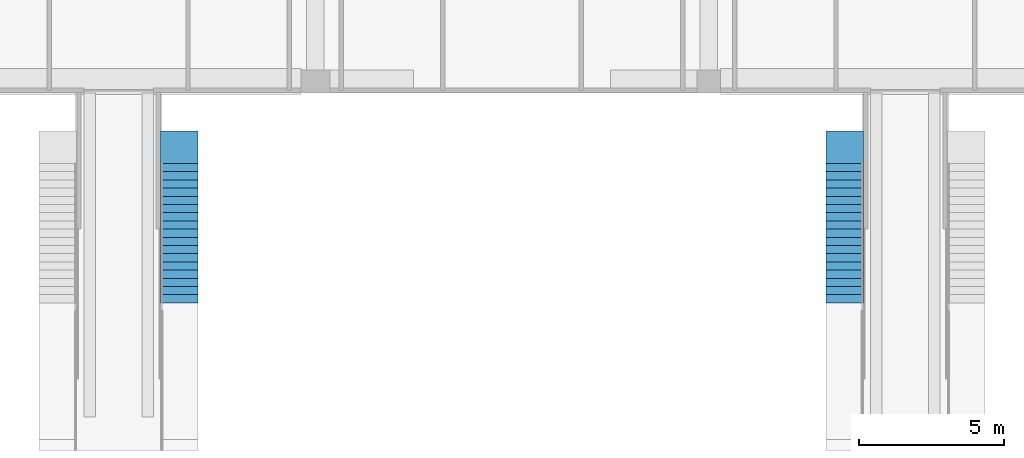
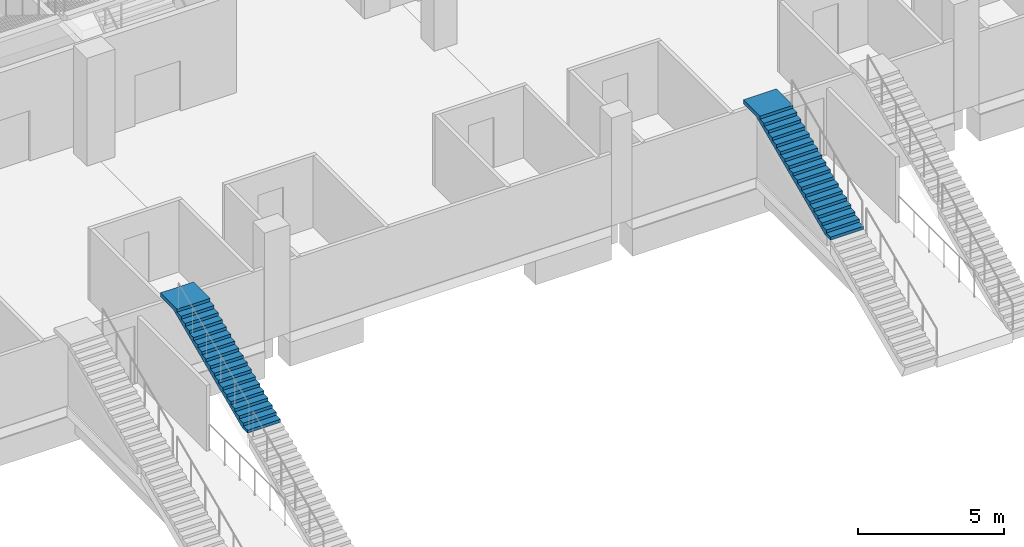
# One storey, part 124 of 175: 2 stair flights, 2 elements without a shape of their own.
"""IFC4 building model written with IfcOpenShell, lengths in metres."""

import ifcopenshell
import ifcopenshell.guid

model = None  # the IFC model being written
_history = None  # IfcOwnerHistory: only IFC2X3 demands one
_inside = {}  # id of a spatial element -> (the spatial element, [elements in it])
_under = {}  # id of a project, library or spatial element -> (it, [spatial elements below it])
_declared = {}  # id of a project -> (the project, [libraries it declares])
_typed = {}  # id of a type object -> (the type object, [elements of that type])
_made_of = {}  # id of a material, layer set ... -> (it, [elements and type objects made of it])


def new_model(schema):
    """Start an empty IFC model of exactly this schema.

    Asked for "IFC4X3", IfcOpenShell would pick the latest addendum, in which some entities
    have other attributes; the version numbers below select the first issue.
    IFC2X3 requires an IfcOwnerHistory on every rooted entity: one is made here for all.
    """
    global model, _history
    if schema == "IFC4X3":
        model = ifcopenshell.file(schema_version=(4, 3, 0, 0))
    else:
        model = ifcopenshell.file(schema=schema)
    _inside.clear()
    _under.clear()
    _declared.clear()
    _typed.clear()
    _made_of.clear()
    _history = None
    if model.schema == "IFC2X3":
        org = make("IfcOrganization", Name="unknown")
        user = make(
            "IfcPersonAndOrganization",
            ThePerson=make("IfcPerson", FamilyName="unknown"),
            TheOrganization=org,
        )
        app = make(
            "IfcApplication",
            ApplicationDeveloper=org,
            Version="unknown",
            ApplicationFullName="unknown",
            ApplicationIdentifier="unknown",
        )
        _history = make(
            "IfcOwnerHistory",
            OwningUser=user,
            OwningApplication=app,
            ChangeAction="ADDED",
            CreationDate=0,
        )
    return model


def make(cls, **values):
    """One entity of the class cls with the attributes given. An attribute that is None is left unset."""
    return model.create_entity(
        cls, **{name: value for name, value in values.items() if value is not None}
    )


def rooted(cls, **values):
    """An entity with a GlobalId (a new one), such as an element, a storey or a relation."""
    return make(cls, GlobalId=ifcopenshell.guid.new(), OwnerHistory=_history, **values)


def si_unit(unit_type, name, prefix=None):
    """IfcSIUnit, for example si_unit("LENGTHUNIT", "METRE", prefix="MILLI")."""
    return make("IfcSIUnit", UnitType=unit_type, Prefix=prefix, Name=name)


def assignment(units):
    """IfcUnitAssignment: the units of a project."""
    return None if units is None else make("IfcUnitAssignment", Units=units)


def point(xyz):
    """IfcCartesianPoint."""
    return None if xyz is None else make("IfcCartesianPoint", Coordinates=xyz)


def direction(xyz):
    """IfcDirection."""
    return None if xyz is None else make("IfcDirection", DirectionRatios=xyz)


def frame(location, z_axis=None, x_axis=None):
    """IfcAxis2Placement3D, a coordinate frame: its origin and axes. An axis left out is left unset."""
    return make(
        "IfcAxis2Placement3D",
        Location=point(location),
        Axis=direction(z_axis),
        RefDirection=direction(x_axis),
    )


def origin():
    """The frame at (0, 0, 0) with its axes left unset."""
    return frame((0.0, 0.0, 0.0))


def place(relative_to, where):
    """IfcLocalPlacement: puts the frame where relative to a parent placement (None: the world)."""
    return make(
        "IfcLocalPlacement", PlacementRelTo=relative_to, RelativePlacement=where
    )


def context(
    kind, dimensions, precision=None, world=None, true_north=None, identifier=None
):
    """IfcGeometricRepresentationContext, for example the 3D "Model" context."""
    return make(
        "IfcGeometricRepresentationContext",
        ContextIdentifier=identifier,
        ContextType=kind,
        CoordinateSpaceDimension=dimensions,
        Precision=precision,
        WorldCoordinateSystem=world,
        TrueNorth=true_north,
    )


def subcontext(parent, identifier, kind, view, scale=None):
    """IfcGeometricRepresentationSubContext, for example "Body" below "Model"."""
    return make(
        "IfcGeometricRepresentationSubContext",
        ContextIdentifier=identifier,
        ContextType=kind,
        ParentContext=parent,
        TargetScale=scale,
        TargetView=view,
    )


def project(units=None, contexts=None):
    """IfcProject with its units and contexts."""
    return rooted(
        "IfcProject",
        Name="project",
        RepresentationContexts=contexts,
        UnitsInContext=assignment(units),
    )


def spatial(cls, under=None, at=None, **own):
    """A site, building, storey or space (cls), placed at a placement, below another one or the project."""
    s = rooted(cls, ObjectPlacement=at, **own)
    if under is not None:
        _under.setdefault(under.id(), (under, []))[1].append(s)
    return s


def faces_of(points, faces, orient=None, outer=None):
    """IfcFace entities. A face is a list of loops; a loop is a list of indices into points, from 0.

    orient and outer hold one flag for each loop. By default every Orientation is true, the
    first loop of a face is its IfcFaceOuterBound and the others are IfcFaceBound.
    """
    made = []
    for i, loops in enumerate(faces):
        bounds = []
        for j, loop in enumerate(loops):
            is_outer = j == 0 if outer is None else outer[i][j]
            bounds.append(
                make(
                    "IfcFaceOuterBound" if is_outer else "IfcFaceBound",
                    Bound=make("IfcPolyLoop", Polygon=[points[k] for k in loop]),
                    Orientation=True if orient is None else orient[i][j],
                )
            )
        made.append(make("IfcFace", Bounds=bounds))
    return made


def faceted_brep(points, faces, orient=None, outer=None, voids=None):
    """IfcFacetedBrep: a solid bounded by flat faces; with voids (closed shells), ...WithVoids."""
    shared = [point(p) for p in points]
    hull = make("IfcClosedShell", CfsFaces=faces_of(shared, faces, orient, outer))
    if voids is None:
        return make("IfcFacetedBrep", Outer=hull)
    return make(
        "IfcFacetedBrepWithVoids",
        Outer=hull,
        Voids=[
            make(cls, CfsFaces=faces_of(shared, fs, o, b)) for cls, fs, o, b in voids
        ],
    )


def shape(context_of_items, identifier, shape_type, items):
    """IfcShapeRepresentation: the items that make up one representation, for example the "Body"."""
    return make(
        "IfcShapeRepresentation",
        ContextOfItems=context_of_items,
        RepresentationIdentifier=identifier,
        RepresentationType=shape_type,
        Items=items,
    )


def material(Name=None, Category=None):
    """IfcMaterial."""
    return make("IfcMaterial", Name=Name, Category=Category)


def made_of(thing, what):
    """Note that an element or type object is made of a material, layer set ...; save() writes the relation."""
    if what is not None:
        _made_of.setdefault(what.id(), (what, []))[1].append(thing)
    return thing


def type_object(cls, material=None, **own):
    """A type object (cls), such as IfcWallType, which elements share."""
    return made_of(rooted(cls, **own), material)


def element(
    cls,
    number,
    at=None,
    inside=None,
    cuts=None,
    type_object=None,
    material=None,
    context=None,
    identifier="Body",
    shape_type=None,
    held_by="IfcProductDefinitionShape",
    body=None,
    shapes=None,
    **own,
):
    """One element of the class cls, such as IfcWall. Its Tag is "e" and its number.

    at: its placement. inside: the storey or other place that contains it. cuts: it is an
    opening in that element (IfcRelVoidsElement). A single representation is given by context,
    identifier, shape_type and body (its items); several are given by shapes. held_by: the class
    of the entity that holds the representations. save() writes the other relations.
    """
    e = rooted(cls, Tag="e%d" % number, ObjectPlacement=at, **own)
    if body is not None:
        shapes = [shape(context, identifier, shape_type, body)]
    if shapes is not None:
        e.Representation = make(held_by, Representations=shapes)
    if inside is not None:
        _inside.setdefault(inside.id(), (inside, []))[1].append(e)
    if cuts is not None:
        rooted(
            "IfcRelVoidsElement", RelatingBuildingElement=cuts, RelatedOpeningElement=e
        )
    if type_object is not None:
        _typed.setdefault(type_object.id(), (type_object, []))[1].append(e)
    return made_of(e, material)


def aggregate(whole, parts):
    """IfcRelAggregates: a whole, such as a stair, and the parts it consists of."""
    return rooted("IfcRelAggregates", RelatingObject=whole, RelatedObjects=parts)


def save(model, path):
    """Write the relations noted so far, then the file.

    IfcRelAggregates (storeys below a building ...), IfcRelContainedInSpatialStructure (elements
    in a storey), IfcRelDefinesByType, IfcRelAssociatesMaterial and IfcRelDeclares: one each for
    every whole, place, type object, material and project.
    """
    for whole, parts in _under.values():
        aggregate(whole, parts)
    for where, things in _inside.values():
        rooted(
            "IfcRelContainedInSpatialStructure",
            RelatedElements=things,
            RelatingStructure=where,
        )
    for kind, things in _typed.values():
        rooted("IfcRelDefinesByType", RelatedObjects=things, RelatingType=kind)
    for what, things in _made_of.values():
        rooted("IfcRelAssociatesMaterial", RelatedObjects=things, RelatingMaterial=what)
    for by, libraries in _declared.values():
        rooted("IfcRelDeclares", RelatingContext=by, RelatedDefinitions=libraries)
    model.write(path)


model = new_model("IFC4")

# Units and contexts
model_context = context("Model", 3, precision=1e-05, world=origin(), true_north=direction((0.0, 1.0)))
body_context = subcontext(model_context, "Body", "Model", "MODEL_VIEW")
ifc_project = project(units=[si_unit("LENGTHUNIT", "METRE"), si_unit("AREAUNIT", "SQUARE_METRE"), si_unit("VOLUMEUNIT", "CUBIC_METRE"), si_unit("PLANEANGLEUNIT", "RADIAN"), si_unit("MASSUNIT", "GRAM", prefix="KILO")], contexts=[model_context])

# Site, building, storey
site_placement = place(None, origin())
site = spatial("IfcSite", under=ifc_project, at=site_placement, CompositionType="ELEMENT")
building_placement = place(site_placement, origin())
building = spatial("IfcBuilding", under=site, at=building_placement, Name="Ogive Plaza Stadium", CompositionType="ELEMENT")
storey_placement = place(building_placement, origin())
storey = spatial("IfcBuildingStorey", under=building, at=storey_placement, Name="L00", CompositionType="ELEMENT", Elevation=0.0)

# Stair, stair flight
ifc_material_1 = material(Name="Concrete C40/50", Category="concrete")
stair_type = type_object("IfcStairType", Name="Aisle stair", PredefinedType="STRAIGHT_RUN_STAIR", material=ifc_material_1)
stair_1_placement = place(storey_placement, origin())
stair_1 = element("IfcStair", 1, at=stair_1_placement, inside=storey, type_object=stair_type, Name="Aisle stair SA33L", PredefinedType="STRAIGHT_RUN_STAIR")
ifc_material_2 = material(Name="Concrete C40/50", Category="concrete")
stair_flight_type = type_object("IfcStairFlightType", Name="Aisle stair flight", PredefinedType="STRAIGHT", material=ifc_material_2)
stair_flight_1_placement = place(storey_placement, frame((-11.5, 72.75, 2.25), z_axis=(0.0, 0.0, 1.0), x_axis=(0.0, 1.0, 0.0)))
stair_flight_1 = element("IfcStairFlight", 2, at=stair_flight_1_placement, type_object=stair_flight_type, Name="SA33L flight 2", NumberOfRisers=18, NumberOfTreads=17, PredefinedType="STRAIGHT", RiserHeight=0.125, TreadLength=0.283333333, context=body_context, shape_type="Brep", body=[
    faceted_brep([(0.371337890625, -0.64990234375, 0.0), (5.10009765625, -0.64990234375, 2.086181640625), (5.949951171875, -0.64990234375, 2.086181640625), (5.949951171875, -0.64990234375, 2.25), (4.816650390625, -0.64990234375, 2.25), (4.816650390625, -0.64990234375, 2.125), (4.533447265625, -0.64990234375, 2.125), (4.533447265625, -0.64990234375, 2.0), (4.25, -0.64990234375, 2.0), (4.25, -0.64990234375, 1.875), (3.966552734375, -0.64990234375, 1.875), (3.966552734375, -0.64990234375, 1.75), (3.683349609375, -0.64990234375, 1.75), (3.683349609375, -0.64990234375, 1.625), (3.39990234375, -0.64990234375, 1.625), (3.39990234375, -0.64990234375, 1.5), (3.11669921875, -0.64990234375, 1.5), (3.11669921875, -0.64990234375, 1.375), (2.833251953125, -0.64990234375, 1.375), (2.833251953125, -0.64990234375, 1.25), (2.550048828125, -0.64990234375, 1.25), (2.550048828125, -0.64990234375, 1.125), (2.2666015625, -0.64990234375, 1.125), (2.2666015625, -0.64990234375, 1.0), (1.9833984375, -0.64990234375, 1.0), (1.9833984375, -0.64990234375, 0.875), (1.699951171875, -0.64990234375, 0.875), (1.699951171875, -0.64990234375, 0.75), (1.416748046875, -0.64990234375, 0.75), (1.416748046875, -0.64990234375, 0.625), (1.13330078125, -0.64990234375, 0.625), (1.13330078125, -0.64990234375, 0.5), (0.85009765625, -0.64990234375, 0.5), (0.85009765625, -0.64990234375, 0.375), (0.566650390625, -0.64990234375, 0.375), (0.566650390625, -0.64990234375, 0.25), (0.283447265625, -0.64990234375, 0.25), (0.283447265625, -0.64990234375, 0.125), (0.0, -0.64990234375, 0.125), (0.0, -0.64990234375, 0.0), (0.0, 0.64990234375, 0.0), (0.0, 0.64990234375, 0.125), (0.283447265625, 0.64990234375, 0.125), (0.283447265625, 0.64990234375, 0.25), (0.566650390625, 0.64990234375, 0.25), (0.566650390625, 0.64990234375, 0.375), (0.85009765625, 0.64990234375, 0.375), (0.85009765625, 0.64990234375, 0.5), (1.13330078125, 0.64990234375, 0.5), (1.13330078125, 0.64990234375, 0.625), (1.416748046875, 0.64990234375, 0.625), (1.416748046875, 0.64990234375, 0.75), (1.699951171875, 0.64990234375, 0.75), (1.699951171875, 0.64990234375, 0.875), (1.9833984375, 0.64990234375, 0.875), (1.9833984375, 0.64990234375, 1.0), (2.2666015625, 0.64990234375, 1.0), (2.2666015625, 0.64990234375, 1.125), (2.550048828125, 0.64990234375, 1.125), (2.550048828125, 0.64990234375, 1.25), (2.833251953125, 0.64990234375, 1.25), (2.833251953125, 0.64990234375, 1.375), (3.11669921875, 0.64990234375, 1.375), (3.11669921875, 0.64990234375, 1.5), (3.39990234375, 0.64990234375, 1.5), (3.39990234375, 0.64990234375, 1.625), (3.683349609375, 0.64990234375, 1.625), (3.683349609375, 0.64990234375, 1.75), (3.966552734375, 0.64990234375, 1.75), (3.966552734375, 0.64990234375, 1.875), (4.25, 0.64990234375, 1.875), (4.25, 0.64990234375, 2.0), (4.533447265625, 0.64990234375, 2.0), (4.533447265625, 0.64990234375, 2.125), (4.816650390625, 0.64990234375, 2.125), (4.816650390625, 0.64990234375, 2.25), (5.949951171875, 0.64990234375, 2.25), (5.949951171875, 0.64990234375, 2.086181640625), (5.10009765625, 0.64990234375, 2.086181640625), (0.371337890625, 0.64990234375, 0.0), (0.371337890625, -0.324951171875, 0.0), (5.10009765625, -0.324951171875, 2.086181640625), (0.371337890625, 0.0, 0.0), (5.10009765625, 0.0, 2.086181640625), (0.371337890625, 0.324951171875, 0.0), (5.10009765625, 0.324951171875, 2.086181640625), (5.949951171875, -0.324951171875, 2.086181640625), (5.949951171875, 0.0, 2.086181640625), (5.949951171875, 0.324951171875, 2.086181640625), (5.949951171875, -0.324951171875, 2.25), (5.949951171875, 0.0, 2.25), (5.949951171875, 0.324951171875, 2.25), (4.816650390625, -0.324951171875, 2.25), (4.816650390625, 0.0, 2.25), (4.816650390625, 0.324951171875, 2.25), (4.816650390625, -0.324951171875, 2.125), (4.816650390625, 0.0, 2.125), (4.816650390625, 0.324951171875, 2.125), (4.533447265625, -0.324951171875, 2.125), (4.533447265625, 0.0, 2.125), (4.533447265625, 0.324951171875, 2.125), (4.533447265625, -0.324951171875, 2.0), (4.533447265625, 0.0, 2.0), (4.533447265625, 0.324951171875, 2.0), (4.25, -0.324951171875, 2.0), (4.25, 0.0, 2.0), (4.25, 0.324951171875, 2.0), (4.25, -0.324951171875, 1.875), (4.25, 0.0, 1.875), (4.25, 0.324951171875, 1.875), (3.966552734375, -0.324951171875, 1.875), (3.966552734375, 0.0, 1.875), (3.966552734375, 0.324951171875, 1.875), (3.966552734375, -0.324951171875, 1.75), (3.966552734375, 0.0, 1.75), (3.966552734375, 0.324951171875, 1.75), (3.683349609375, -0.324951171875, 1.75), (3.683349609375, 0.0, 1.75), (3.683349609375, 0.324951171875, 1.75), (3.683349609375, -0.324951171875, 1.625), (3.683349609375, 0.0, 1.625), (3.683349609375, 0.324951171875, 1.625), (3.39990234375, -0.324951171875, 1.625), (3.39990234375, 0.0, 1.625), (3.39990234375, 0.324951171875, 1.625), (3.39990234375, -0.324951171875, 1.5), (3.39990234375, 0.0, 1.5), (3.39990234375, 0.324951171875, 1.5), (3.11669921875, -0.324951171875, 1.5), (3.11669921875, 0.0, 1.5), (3.11669921875, 0.324951171875, 1.5), (3.11669921875, -0.324951171875, 1.375), (3.11669921875, 0.0, 1.375), (3.11669921875, 0.324951171875, 1.375), (2.833251953125, -0.324951171875, 1.375), (2.833251953125, 0.0, 1.375), (2.833251953125, 0.324951171875, 1.375), (2.833251953125, -0.324951171875, 1.25), (2.833251953125, 0.0, 1.25), (2.833251953125, 0.324951171875, 1.25), (2.550048828125, -0.324951171875, 1.25), (2.550048828125, 0.0, 1.25), (2.550048828125, 0.324951171875, 1.25), (2.550048828125, -0.324951171875, 1.125), (2.550048828125, 0.0, 1.125), (2.550048828125, 0.324951171875, 1.125), (2.2666015625, -0.324951171875, 1.125), (2.2666015625, 0.0, 1.125), (2.2666015625, 0.324951171875, 1.125), (2.2666015625, -0.324951171875, 1.0), (2.2666015625, 0.0, 1.0), (2.2666015625, 0.324951171875, 1.0), (1.9833984375, -0.324951171875, 1.0), (1.9833984375, 0.0, 1.0), (1.9833984375, 0.324951171875, 1.0), (1.9833984375, -0.324951171875, 0.875), (1.9833984375, 0.0, 0.875), (1.9833984375, 0.324951171875, 0.875), (1.699951171875, -0.324951171875, 0.875), (1.699951171875, 0.0, 0.875), (1.699951171875, 0.324951171875, 0.875), (1.699951171875, -0.324951171875, 0.75), (1.699951171875, 0.0, 0.75), (1.699951171875, 0.324951171875, 0.75), (1.416748046875, -0.324951171875, 0.75), (1.416748046875, 0.0, 0.75), (1.416748046875, 0.324951171875, 0.75), (1.416748046875, -0.324951171875, 0.625), (1.416748046875, 0.0, 0.625), (1.416748046875, 0.324951171875, 0.625), (1.13330078125, -0.324951171875, 0.625), (1.13330078125, 0.0, 0.625), (1.13330078125, 0.324951171875, 0.625), (1.13330078125, -0.324951171875, 0.5), (1.13330078125, 0.0, 0.5), (1.13330078125, 0.324951171875, 0.5), (0.85009765625, -0.324951171875, 0.5), (0.85009765625, 0.0, 0.5), (0.85009765625, 0.324951171875, 0.5), (0.85009765625, -0.324951171875, 0.375), (0.85009765625, 0.0, 0.375), (0.85009765625, 0.324951171875, 0.375), (0.566650390625, -0.324951171875, 0.375), (0.566650390625, 0.0, 0.375), (0.566650390625, 0.324951171875, 0.375), (0.566650390625, -0.324951171875, 0.25), (0.566650390625, 0.0, 0.25), (0.566650390625, 0.324951171875, 0.25), (0.283447265625, -0.324951171875, 0.25), (0.283447265625, 0.0, 0.25), (0.283447265625, 0.324951171875, 0.25), (0.283447265625, -0.324951171875, 0.125), (0.283447265625, 0.0, 0.125), (0.283447265625, 0.324951171875, 0.125), (0.0, -0.324951171875, 0.125), (0.0, 0.0, 0.125), (0.0, 0.324951171875, 0.125), (0.0, -0.324951171875, 0.0), (0.0, 0.0, 0.0), (0.0, 0.324951171875, 0.0)], [[[0, 1, 2, 3, 4, 5, 6, 7, 8, 9, 10, 11, 12, 13, 14, 15, 16, 17, 18, 19, 20, 21, 22, 23, 24, 25, 26, 27, 28, 29, 30, 31, 32, 33, 34, 35, 36, 37, 38, 39]], [[40, 41, 42, 43, 44, 45, 46, 47, 48, 49, 50, 51, 52, 53, 54, 55, 56, 57, 58, 59, 60, 61, 62, 63, 64, 65, 66, 67, 68, 69, 70, 71, 72, 73, 74, 75, 76, 77, 78, 79]], [[0, 80, 81, 1]], [[80, 82, 83, 81]], [[82, 84, 85, 83]], [[84, 79, 78, 85]], [[1, 81, 86, 2]], [[81, 83, 87, 86]], [[83, 85, 88, 87]], [[85, 78, 77, 88]], [[2, 86, 89, 3]], [[86, 87, 90, 89]], [[87, 88, 91, 90]], [[88, 77, 76, 91]], [[3, 89, 92, 4]], [[89, 90, 93, 92]], [[90, 91, 94, 93]], [[91, 76, 75, 94]], [[4, 92, 95, 5]], [[92, 93, 96, 95]], [[93, 94, 97, 96]], [[94, 75, 74, 97]], [[5, 95, 98, 6]], [[95, 96, 99, 98]], [[96, 97, 100, 99]], [[97, 74, 73, 100]], [[6, 98, 101, 7]], [[98, 99, 102, 101]], [[99, 100, 103, 102]], [[100, 73, 72, 103]], [[7, 101, 104, 8]], [[101, 102, 105, 104]], [[102, 103, 106, 105]], [[103, 72, 71, 106]], [[8, 104, 107, 9]], [[104, 105, 108, 107]], [[105, 106, 109, 108]], [[106, 71, 70, 109]], [[9, 107, 110, 10]], [[107, 108, 111, 110]], [[108, 109, 112, 111]], [[109, 70, 69, 112]], [[10, 110, 113, 11]], [[110, 111, 114, 113]], [[111, 112, 115, 114]], [[112, 69, 68, 115]], [[11, 113, 116, 12]], [[113, 114, 117, 116]], [[114, 115, 118, 117]], [[115, 68, 67, 118]], [[12, 116, 119, 13]], [[116, 117, 120, 119]], [[117, 118, 121, 120]], [[118, 67, 66, 121]], [[13, 119, 122, 14]], [[119, 120, 123, 122]], [[120, 121, 124, 123]], [[121, 66, 65, 124]], [[14, 122, 125, 15]], [[122, 123, 126, 125]], [[123, 124, 127, 126]], [[124, 65, 64, 127]], [[15, 125, 128, 16]], [[125, 126, 129, 128]], [[126, 127, 130, 129]], [[127, 64, 63, 130]], [[16, 128, 131, 17]], [[128, 129, 132, 131]], [[129, 130, 133, 132]], [[130, 63, 62, 133]], [[17, 131, 134, 18]], [[131, 132, 135, 134]], [[132, 133, 136, 135]], [[133, 62, 61, 136]], [[18, 134, 137, 19]], [[134, 135, 138, 137]], [[135, 136, 139, 138]], [[136, 61, 60, 139]], [[19, 137, 140, 20]], [[137, 138, 141, 140]], [[138, 139, 142, 141]], [[139, 60, 59, 142]], [[20, 140, 143, 21]], [[140, 141, 144, 143]], [[141, 142, 145, 144]], [[142, 59, 58, 145]], [[21, 143, 146, 22]], [[143, 144, 147, 146]], [[144, 145, 148, 147]], [[145, 58, 57, 148]], [[22, 146, 149, 23]], [[146, 147, 150, 149]], [[147, 148, 151, 150]], [[148, 57, 56, 151]], [[23, 149, 152, 24]], [[149, 150, 153, 152]], [[150, 151, 154, 153]], [[151, 56, 55, 154]], [[24, 152, 155, 25]], [[152, 153, 156, 155]], [[153, 154, 157, 156]], [[154, 55, 54, 157]], [[25, 155, 158, 26]], [[155, 156, 159, 158]], [[156, 157, 160, 159]], [[157, 54, 53, 160]], [[26, 158, 161, 27]], [[158, 159, 162, 161]], [[159, 160, 163, 162]], [[160, 53, 52, 163]], [[27, 161, 164, 28]], [[161, 162, 165, 164]], [[162, 163, 166, 165]], [[163, 52, 51, 166]], [[28, 164, 167, 29]], [[164, 165, 168, 167]], [[165, 166, 169, 168]], [[166, 51, 50, 169]], [[29, 167, 170, 30]], [[167, 168, 171, 170]], [[168, 169, 172, 171]], [[169, 50, 49, 172]], [[30, 170, 173, 31]], [[170, 171, 174, 173]], [[171, 172, 175, 174]], [[172, 49, 48, 175]], [[31, 173, 176, 32]], [[173, 174, 177, 176]], [[174, 175, 178, 177]], [[175, 48, 47, 178]], [[32, 176, 179, 33]], [[176, 177, 180, 179]], [[177, 178, 181, 180]], [[178, 47, 46, 181]], [[33, 179, 182, 34]], [[179, 180, 183, 182]], [[180, 181, 184, 183]], [[181, 46, 45, 184]], [[34, 182, 185, 35]], [[182, 183, 186, 185]], [[183, 184, 187, 186]], [[184, 45, 44, 187]], [[35, 185, 188, 36]], [[185, 186, 189, 188]], [[186, 187, 190, 189]], [[187, 44, 43, 190]], [[36, 188, 191, 37]], [[188, 189, 192, 191]], [[189, 190, 193, 192]], [[190, 43, 42, 193]], [[37, 191, 194, 38]], [[191, 192, 195, 194]], [[192, 193, 196, 195]], [[193, 42, 41, 196]], [[38, 194, 197, 39]], [[194, 195, 198, 197]], [[195, 196, 199, 198]], [[196, 41, 40, 199]], [[39, 197, 80, 0]], [[197, 198, 82, 80]], [[198, 199, 84, 82]], [[199, 40, 79, 84]]]),
])
aggregate(stair_1, [stair_flight_1])

stair_2_placement = place(storey_placement, origin())
stair_2 = element("IfcStair", 3, at=stair_2_placement, inside=storey, type_object=stair_type, Name="Aisle stair SA35R", PredefinedType="STRAIGHT_RUN_STAIR")
stair_flight_2_placement = place(storey_placement, frame((11.5, 72.75, 2.25), z_axis=(0.0, 0.0, 1.0), x_axis=(0.0, 1.0, 0.0)))
stair_flight_2 = element("IfcStairFlight", 4, at=stair_flight_2_placement, type_object=stair_flight_type, Name="SA35R flight 2", NumberOfRisers=18, NumberOfTreads=17, PredefinedType="STRAIGHT", RiserHeight=0.125, TreadLength=0.283333333, context=body_context, shape_type="Brep", body=[
    faceted_brep([(0.371337890625, -0.64990234375, 0.0), (5.10009765625, -0.64990234375, 2.086181640625), (5.949951171875, -0.64990234375, 2.086181640625), (5.949951171875, -0.64990234375, 2.25), (4.816650390625, -0.64990234375, 2.25), (4.816650390625, -0.64990234375, 2.125), (4.533447265625, -0.64990234375, 2.125), (4.533447265625, -0.64990234375, 2.0), (4.25, -0.64990234375, 2.0), (4.25, -0.64990234375, 1.875), (3.966552734375, -0.64990234375, 1.875), (3.966552734375, -0.64990234375, 1.75), (3.683349609375, -0.64990234375, 1.75), (3.683349609375, -0.64990234375, 1.625), (3.39990234375, -0.64990234375, 1.625), (3.39990234375, -0.64990234375, 1.5), (3.11669921875, -0.64990234375, 1.5), (3.11669921875, -0.64990234375, 1.375), (2.833251953125, -0.64990234375, 1.375), (2.833251953125, -0.64990234375, 1.25), (2.550048828125, -0.64990234375, 1.25), (2.550048828125, -0.64990234375, 1.125), (2.2666015625, -0.64990234375, 1.125), (2.2666015625, -0.64990234375, 1.0), (1.9833984375, -0.64990234375, 1.0), (1.9833984375, -0.64990234375, 0.875), (1.699951171875, -0.64990234375, 0.875), (1.699951171875, -0.64990234375, 0.75), (1.416748046875, -0.64990234375, 0.75), (1.416748046875, -0.64990234375, 0.625), (1.13330078125, -0.64990234375, 0.625), (1.13330078125, -0.64990234375, 0.5), (0.85009765625, -0.64990234375, 0.5), (0.85009765625, -0.64990234375, 0.375), (0.566650390625, -0.64990234375, 0.375), (0.566650390625, -0.64990234375, 0.25), (0.283447265625, -0.64990234375, 0.25), (0.283447265625, -0.64990234375, 0.125), (0.0, -0.64990234375, 0.125), (0.0, -0.64990234375, 0.0), (0.0, 0.64990234375, 0.0), (0.0, 0.64990234375, 0.125), (0.283447265625, 0.64990234375, 0.125), (0.283447265625, 0.64990234375, 0.25), (0.566650390625, 0.64990234375, 0.25), (0.566650390625, 0.64990234375, 0.375), (0.85009765625, 0.64990234375, 0.375), (0.85009765625, 0.64990234375, 0.5), (1.13330078125, 0.64990234375, 0.5), (1.13330078125, 0.64990234375, 0.625), (1.416748046875, 0.64990234375, 0.625), (1.416748046875, 0.64990234375, 0.75), (1.699951171875, 0.64990234375, 0.75), (1.699951171875, 0.64990234375, 0.875), (1.9833984375, 0.64990234375, 0.875), (1.9833984375, 0.64990234375, 1.0), (2.2666015625, 0.64990234375, 1.0), (2.2666015625, 0.64990234375, 1.125), (2.550048828125, 0.64990234375, 1.125), (2.550048828125, 0.64990234375, 1.25), (2.833251953125, 0.64990234375, 1.25), (2.833251953125, 0.64990234375, 1.375), (3.11669921875, 0.64990234375, 1.375), (3.11669921875, 0.64990234375, 1.5), (3.39990234375, 0.64990234375, 1.5), (3.39990234375, 0.64990234375, 1.625), (3.683349609375, 0.64990234375, 1.625), (3.683349609375, 0.64990234375, 1.75), (3.966552734375, 0.64990234375, 1.75), (3.966552734375, 0.64990234375, 1.875), (4.25, 0.64990234375, 1.875), (4.25, 0.64990234375, 2.0), (4.533447265625, 0.64990234375, 2.0), (4.533447265625, 0.64990234375, 2.125), (4.816650390625, 0.64990234375, 2.125), (4.816650390625, 0.64990234375, 2.25), (5.949951171875, 0.64990234375, 2.25), (5.949951171875, 0.64990234375, 2.086181640625), (5.10009765625, 0.64990234375, 2.086181640625), (0.371337890625, 0.64990234375, 0.0), (0.371337890625, -0.324951171875, 0.0), (5.10009765625, -0.324951171875, 2.086181640625), (0.371337890625, 0.0, 0.0), (5.10009765625, 0.0, 2.086181640625), (0.371337890625, 0.324951171875, 0.0), (5.10009765625, 0.324951171875, 2.086181640625), (5.949951171875, -0.324951171875, 2.086181640625), (5.949951171875, 0.0, 2.086181640625), (5.949951171875, 0.324951171875, 2.086181640625), (5.949951171875, -0.324951171875, 2.25), (5.949951171875, 0.0, 2.25), (5.949951171875, 0.324951171875, 2.25), (4.816650390625, -0.324951171875, 2.25), (4.816650390625, 0.0, 2.25), (4.816650390625, 0.324951171875, 2.25), (4.816650390625, -0.324951171875, 2.125), (4.816650390625, 0.0, 2.125), (4.816650390625, 0.324951171875, 2.125), (4.533447265625, -0.324951171875, 2.125), (4.533447265625, 0.0, 2.125), (4.533447265625, 0.324951171875, 2.125), (4.533447265625, -0.324951171875, 2.0), (4.533447265625, 0.0, 2.0), (4.533447265625, 0.324951171875, 2.0), (4.25, -0.324951171875, 2.0), (4.25, 0.0, 2.0), (4.25, 0.324951171875, 2.0), (4.25, -0.324951171875, 1.875), (4.25, 0.0, 1.875), (4.25, 0.324951171875, 1.875), (3.966552734375, -0.324951171875, 1.875), (3.966552734375, 0.0, 1.875), (3.966552734375, 0.324951171875, 1.875), (3.966552734375, -0.324951171875, 1.75), (3.966552734375, 0.0, 1.75), (3.966552734375, 0.324951171875, 1.75), (3.683349609375, -0.324951171875, 1.75), (3.683349609375, 0.0, 1.75), (3.683349609375, 0.324951171875, 1.75), (3.683349609375, -0.324951171875, 1.625), (3.683349609375, 0.0, 1.625), (3.683349609375, 0.324951171875, 1.625), (3.39990234375, -0.324951171875, 1.625), (3.39990234375, 0.0, 1.625), (3.39990234375, 0.324951171875, 1.625), (3.39990234375, -0.324951171875, 1.5), (3.39990234375, 0.0, 1.5), (3.39990234375, 0.324951171875, 1.5), (3.11669921875, -0.324951171875, 1.5), (3.11669921875, 0.0, 1.5), (3.11669921875, 0.324951171875, 1.5), (3.11669921875, -0.324951171875, 1.375), (3.11669921875, 0.0, 1.375), (3.11669921875, 0.324951171875, 1.375), (2.833251953125, -0.324951171875, 1.375), (2.833251953125, 0.0, 1.375), (2.833251953125, 0.324951171875, 1.375), (2.833251953125, -0.324951171875, 1.25), (2.833251953125, 0.0, 1.25), (2.833251953125, 0.324951171875, 1.25), (2.550048828125, -0.324951171875, 1.25), (2.550048828125, 0.0, 1.25), (2.550048828125, 0.324951171875, 1.25), (2.550048828125, -0.324951171875, 1.125), (2.550048828125, 0.0, 1.125), (2.550048828125, 0.324951171875, 1.125), (2.2666015625, -0.324951171875, 1.125), (2.2666015625, 0.0, 1.125), (2.2666015625, 0.324951171875, 1.125), (2.2666015625, -0.324951171875, 1.0), (2.2666015625, 0.0, 1.0), (2.2666015625, 0.324951171875, 1.0), (1.9833984375, -0.324951171875, 1.0), (1.9833984375, 0.0, 1.0), (1.9833984375, 0.324951171875, 1.0), (1.9833984375, -0.324951171875, 0.875), (1.9833984375, 0.0, 0.875), (1.9833984375, 0.324951171875, 0.875), (1.699951171875, -0.324951171875, 0.875), (1.699951171875, 0.0, 0.875), (1.699951171875, 0.324951171875, 0.875), (1.699951171875, -0.324951171875, 0.75), (1.699951171875, 0.0, 0.75), (1.699951171875, 0.324951171875, 0.75), (1.416748046875, -0.324951171875, 0.75), (1.416748046875, 0.0, 0.75), (1.416748046875, 0.324951171875, 0.75), (1.416748046875, -0.324951171875, 0.625), (1.416748046875, 0.0, 0.625), (1.416748046875, 0.324951171875, 0.625), (1.13330078125, -0.324951171875, 0.625), (1.13330078125, 0.0, 0.625), (1.13330078125, 0.324951171875, 0.625), (1.13330078125, -0.324951171875, 0.5), (1.13330078125, 0.0, 0.5), (1.13330078125, 0.324951171875, 0.5), (0.85009765625, -0.324951171875, 0.5), (0.85009765625, 0.0, 0.5), (0.85009765625, 0.324951171875, 0.5), (0.85009765625, -0.324951171875, 0.375), (0.85009765625, 0.0, 0.375), (0.85009765625, 0.324951171875, 0.375), (0.566650390625, -0.324951171875, 0.375), (0.566650390625, 0.0, 0.375), (0.566650390625, 0.324951171875, 0.375), (0.566650390625, -0.324951171875, 0.25), (0.566650390625, 0.0, 0.25), (0.566650390625, 0.324951171875, 0.25), (0.283447265625, -0.324951171875, 0.25), (0.283447265625, 0.0, 0.25), (0.283447265625, 0.324951171875, 0.25), (0.283447265625, -0.324951171875, 0.125), (0.283447265625, 0.0, 0.125), (0.283447265625, 0.324951171875, 0.125), (0.0, -0.324951171875, 0.125), (0.0, 0.0, 0.125), (0.0, 0.324951171875, 0.125), (0.0, -0.324951171875, 0.0), (0.0, 0.0, 0.0), (0.0, 0.324951171875, 0.0)], [[[0, 1, 2, 3, 4, 5, 6, 7, 8, 9, 10, 11, 12, 13, 14, 15, 16, 17, 18, 19, 20, 21, 22, 23, 24, 25, 26, 27, 28, 29, 30, 31, 32, 33, 34, 35, 36, 37, 38, 39]], [[40, 41, 42, 43, 44, 45, 46, 47, 48, 49, 50, 51, 52, 53, 54, 55, 56, 57, 58, 59, 60, 61, 62, 63, 64, 65, 66, 67, 68, 69, 70, 71, 72, 73, 74, 75, 76, 77, 78, 79]], [[0, 80, 81, 1]], [[80, 82, 83, 81]], [[82, 84, 85, 83]], [[84, 79, 78, 85]], [[1, 81, 86, 2]], [[81, 83, 87, 86]], [[83, 85, 88, 87]], [[85, 78, 77, 88]], [[2, 86, 89, 3]], [[86, 87, 90, 89]], [[87, 88, 91, 90]], [[88, 77, 76, 91]], [[3, 89, 92, 4]], [[89, 90, 93, 92]], [[90, 91, 94, 93]], [[91, 76, 75, 94]], [[4, 92, 95, 5]], [[92, 93, 96, 95]], [[93, 94, 97, 96]], [[94, 75, 74, 97]], [[5, 95, 98, 6]], [[95, 96, 99, 98]], [[96, 97, 100, 99]], [[97, 74, 73, 100]], [[6, 98, 101, 7]], [[98, 99, 102, 101]], [[99, 100, 103, 102]], [[100, 73, 72, 103]], [[7, 101, 104, 8]], [[101, 102, 105, 104]], [[102, 103, 106, 105]], [[103, 72, 71, 106]], [[8, 104, 107, 9]], [[104, 105, 108, 107]], [[105, 106, 109, 108]], [[106, 71, 70, 109]], [[9, 107, 110, 10]], [[107, 108, 111, 110]], [[108, 109, 112, 111]], [[109, 70, 69, 112]], [[10, 110, 113, 11]], [[110, 111, 114, 113]], [[111, 112, 115, 114]], [[112, 69, 68, 115]], [[11, 113, 116, 12]], [[113, 114, 117, 116]], [[114, 115, 118, 117]], [[115, 68, 67, 118]], [[12, 116, 119, 13]], [[116, 117, 120, 119]], [[117, 118, 121, 120]], [[118, 67, 66, 121]], [[13, 119, 122, 14]], [[119, 120, 123, 122]], [[120, 121, 124, 123]], [[121, 66, 65, 124]], [[14, 122, 125, 15]], [[122, 123, 126, 125]], [[123, 124, 127, 126]], [[124, 65, 64, 127]], [[15, 125, 128, 16]], [[125, 126, 129, 128]], [[126, 127, 130, 129]], [[127, 64, 63, 130]], [[16, 128, 131, 17]], [[128, 129, 132, 131]], [[129, 130, 133, 132]], [[130, 63, 62, 133]], [[17, 131, 134, 18]], [[131, 132, 135, 134]], [[132, 133, 136, 135]], [[133, 62, 61, 136]], [[18, 134, 137, 19]], [[134, 135, 138, 137]], [[135, 136, 139, 138]], [[136, 61, 60, 139]], [[19, 137, 140, 20]], [[137, 138, 141, 140]], [[138, 139, 142, 141]], [[139, 60, 59, 142]], [[20, 140, 143, 21]], [[140, 141, 144, 143]], [[141, 142, 145, 144]], [[142, 59, 58, 145]], [[21, 143, 146, 22]], [[143, 144, 147, 146]], [[144, 145, 148, 147]], [[145, 58, 57, 148]], [[22, 146, 149, 23]], [[146, 147, 150, 149]], [[147, 148, 151, 150]], [[148, 57, 56, 151]], [[23, 149, 152, 24]], [[149, 150, 153, 152]], [[150, 151, 154, 153]], [[151, 56, 55, 154]], [[24, 152, 155, 25]], [[152, 153, 156, 155]], [[153, 154, 157, 156]], [[154, 55, 54, 157]], [[25, 155, 158, 26]], [[155, 156, 159, 158]], [[156, 157, 160, 159]], [[157, 54, 53, 160]], [[26, 158, 161, 27]], [[158, 159, 162, 161]], [[159, 160, 163, 162]], [[160, 53, 52, 163]], [[27, 161, 164, 28]], [[161, 162, 165, 164]], [[162, 163, 166, 165]], [[163, 52, 51, 166]], [[28, 164, 167, 29]], [[164, 165, 168, 167]], [[165, 166, 169, 168]], [[166, 51, 50, 169]], [[29, 167, 170, 30]], [[167, 168, 171, 170]], [[168, 169, 172, 171]], [[169, 50, 49, 172]], [[30, 170, 173, 31]], [[170, 171, 174, 173]], [[171, 172, 175, 174]], [[172, 49, 48, 175]], [[31, 173, 176, 32]], [[173, 174, 177, 176]], [[174, 175, 178, 177]], [[175, 48, 47, 178]], [[32, 176, 179, 33]], [[176, 177, 180, 179]], [[177, 178, 181, 180]], [[178, 47, 46, 181]], [[33, 179, 182, 34]], [[179, 180, 183, 182]], [[180, 181, 184, 183]], [[181, 46, 45, 184]], [[34, 182, 185, 35]], [[182, 183, 186, 185]], [[183, 184, 187, 186]], [[184, 45, 44, 187]], [[35, 185, 188, 36]], [[185, 186, 189, 188]], [[186, 187, 190, 189]], [[187, 44, 43, 190]], [[36, 188, 191, 37]], [[188, 189, 192, 191]], [[189, 190, 193, 192]], [[190, 43, 42, 193]], [[37, 191, 194, 38]], [[191, 192, 195, 194]], [[192, 193, 196, 195]], [[193, 42, 41, 196]], [[38, 194, 197, 39]], [[194, 195, 198, 197]], [[195, 196, 199, 198]], [[196, 41, 40, 199]], [[39, 197, 80, 0]], [[197, 198, 82, 80]], [[198, 199, 84, 82]], [[199, 40, 79, 84]]]),
])
aggregate(stair_2, [stair_flight_2])

save(model, "model.ifc")
